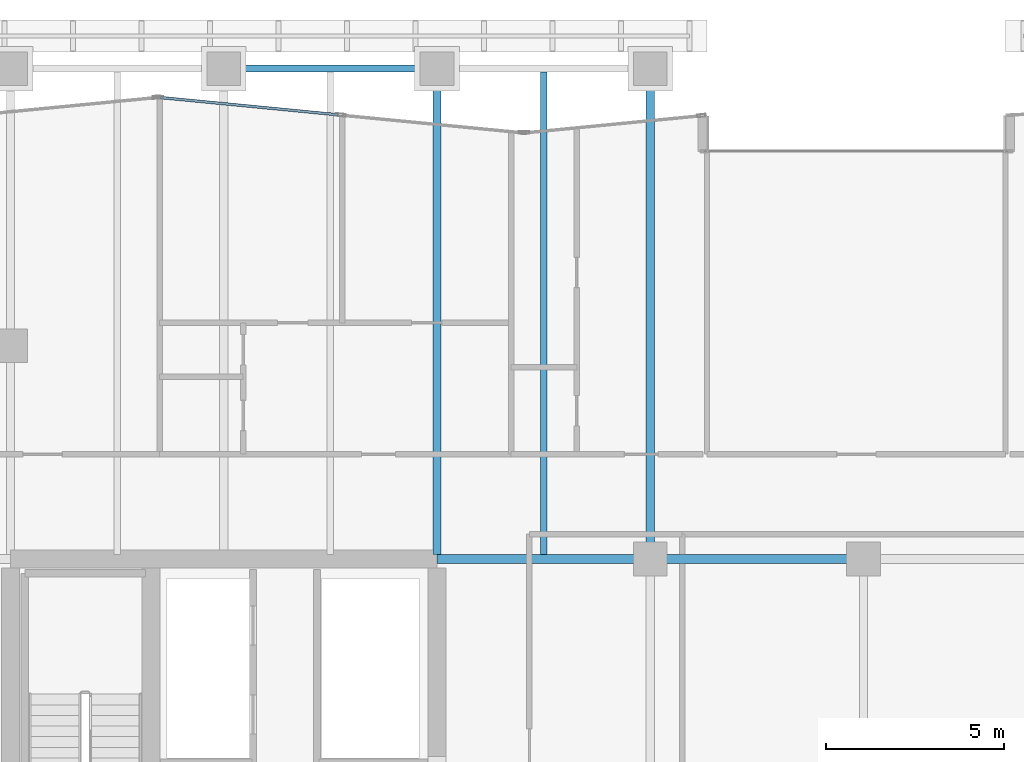
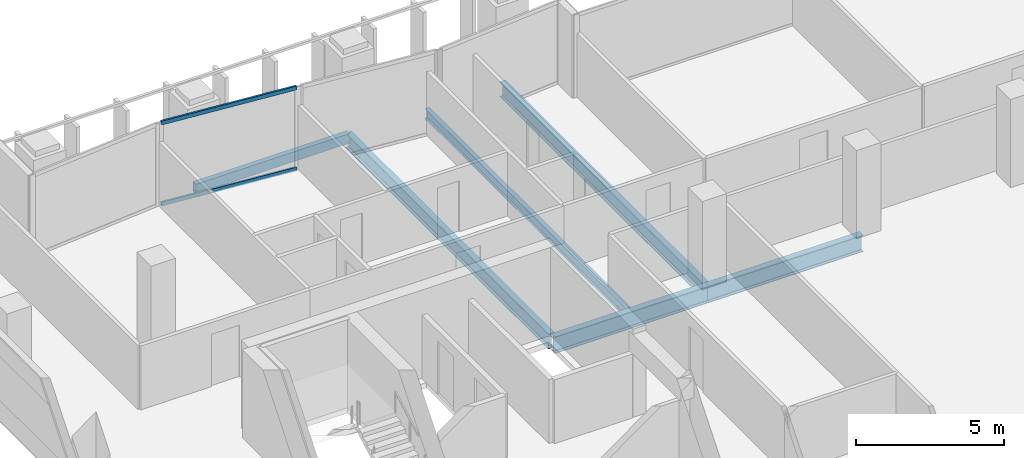
# One storey, part 13 of 39: 6 beams, 2 members, 1 element without a shape of its own.
"""IFC4 building model written with IfcOpenShell, lengths in metres."""

from ifc_helpers import new_model, si_unit, direction, frame, origin, origin_2d, place, context, subcontext, project, spatial, hollow_rectangle, i_section, extrude, material, layer, layer_set, material_profile, profile_set, type_object, element, aggregate, save


model = new_model("IFC4")

# Units and contexts
model_context = context("Model", 3, precision=1e-05, world=origin(), true_north=direction((0.0, 1.0)))
body_context = subcontext(model_context, "Body", "Model", "MODEL_VIEW")
ifc_project = project(units=[si_unit("LENGTHUNIT", "METRE"), si_unit("AREAUNIT", "SQUARE_METRE"), si_unit("VOLUMEUNIT", "CUBIC_METRE"), si_unit("PLANEANGLEUNIT", "RADIAN"), si_unit("MASSUNIT", "GRAM", prefix="KILO")], contexts=[model_context])

# Site, building, storey
site_placement = place(None, origin())
site = spatial("IfcSite", under=ifc_project, at=site_placement, CompositionType="ELEMENT")
building_placement = place(site_placement, origin())
building = spatial("IfcBuilding", under=site, at=building_placement, Name="Tanjung Sevakor Pilgrim Tower", CompositionType="ELEMENT")
storey_placement = place(building_placement, frame((0.0, 0.0, 112.199951171875)))
storey = spatial("IfcBuildingStorey", under=building, at=storey_placement, Name="L31", CompositionType="ELEMENT", Elevation=112.199951171875)

# Beams
ifc_material_1 = material(Name="Steel S355J2", Category="steel")
ifc_material_profile_1 = material_profile(ifc_material_1, i_section(OverallWidth=0.25439453125, OverallDepth=0.6875, WebThickness=0.01318359375, FlangeThickness=0.02099609375, FilletRadius=0.01513671875, at=origin_2d()))
ifc_profile_set_1 = profile_set([ifc_material_profile_1], Name="Steel S355J2")
beam_type_1 = type_object("IfcBeamType", Name="BM-B-G2-UB_686x254x152", PredefinedType="BEAM", material=ifc_profile_set_1)
for number, where, z_axis, x_axis, name in (
    (1, (36.0, 42.60009765625, -0.563720703125), (1.0, 0.0, 0.0), (0.0, 1.0, 0.0), "L31 Primary Floor Girder MAIN Y426-02"),
    (2, (42.0, 42.60009765625, -0.563720703125), (1.0, 0.0, 0.0), (0.0, 1.0, 0.0), "L31 Primary Floor Girder MAIN Y426-03"),
):
    element("IfcBeam", number, at=place(storey_placement, frame(where, z_axis=z_axis, x_axis=x_axis)), inside=storey, type_object=beam_type_1, Name=name, PredefinedType="BEAM", context=body_context, shape_type="SweptSolid", body=[
        extrude(i_section(OverallWidth=0.25439453125, OverallDepth=0.6875, WebThickness=0.01318359375, FlangeThickness=0.02099609375, FilletRadius=0.01513671875, at=origin_2d()), origin(), (0.0, 0.0, 1.0), 6.0),
    ])
ifc_material_2 = material(Name="Steel S355J2", Category="steel")
ifc_material_profile_2 = material_profile(ifc_material_2, i_section(OverallWidth=0.230224609375, OverallDepth=0.6171875, WebThickness=0.01318359375, FlangeThickness=0.022216796875, FilletRadius=0.0126953125, at=origin_2d()))
ifc_profile_set_2 = profile_set([ifc_material_profile_2], Name="Steel S355J2")
beam_type_2 = type_object("IfcBeamType", Name="BM-B-G3-UB_610x229x140", PredefinedType="BEAM", material=ifc_profile_set_2)
beam_1_placement = place(storey_placement, frame((36.0, 42.727294921875, -0.528564453125), z_axis=(0.0, 1.0, 0.0), x_axis=(-1.0, 0.0, 0.0)))
element("IfcBeam", 3, at=beam_1_placement, inside=storey, type_object=beam_type_2, Name="L31 MAIN Girder 010", PredefinedType="BEAM", context=body_context, shape_type="SweptSolid", body=[
    extrude(i_section(OverallWidth=0.230224609375, OverallDepth=0.6171875, WebThickness=0.01318359375, FlangeThickness=0.022216796875, FilletRadius=0.0126953125, at=origin_2d()), origin(), (0.0, 0.0, 1.0), 13.672607421875),
])
beam_2_placement = place(storey_placement, frame((42.0, 42.60009765625, -0.528564453125), z_axis=(0.0, 1.0, 0.0), x_axis=(-1.0, 0.0, 0.0)))
element("IfcBeam", 4, at=beam_2_placement, inside=storey, type_object=beam_type_2, Name="L31 MAIN Girder 015", PredefinedType="BEAM", context=body_context, shape_type="SweptSolid", body=[
    extrude(i_section(OverallWidth=0.230224609375, OverallDepth=0.6171875, WebThickness=0.01318359375, FlangeThickness=0.022216796875, FilletRadius=0.0126953125, at=origin_2d()), origin(), (0.0, 0.0, 1.0), 13.7998046875),
])
ifc_material_3 = material(Name="Steel S355J2", Category="steel")
ifc_material_profile_3 = material_profile(ifc_material_3, i_section(OverallWidth=0.1787109375, OverallDepth=0.409423828125, WebThickness=0.0087890625, FlangeThickness=0.014404296875, FilletRadius=0.01025390625, at=origin_2d()))
ifc_profile_set_3 = profile_set([ifc_material_profile_3], Name="Steel S355J2")
beam_type_3 = type_object("IfcBeamType", Name="BM-B-J3-UB_406x178x67", PredefinedType="JOIST", material=ifc_profile_set_3)
beam_3_placement = place(storey_placement, frame((39.0, 42.727294921875, -0.424560546875), z_axis=(0.0, 1.0, 0.0), x_axis=(-1.0, 0.0, 0.0)))
element("IfcBeam", 5, at=beam_3_placement, inside=storey, type_object=beam_type_3, Name="L31 MAIN Joist 012", PredefinedType="JOIST", context=body_context, shape_type="SweptSolid", body=[
    extrude(i_section(OverallWidth=0.1787109375, OverallDepth=0.409423828125, WebThickness=0.0087890625, FlangeThickness=0.014404296875, FilletRadius=0.01025390625, at=origin_2d()), origin(), (0.0, 0.0, 1.0), 13.57275390625),
])
ifc_material_4 = material(Name="Steel S355J2", Category="steel")
ifc_material_profile_4 = material_profile(ifc_material_4, hollow_rectangle(XDim=0.199951171875, YDim=0.39990234375, WallThickness=0.01611328125, at=origin_2d()))
ifc_profile_set_4 = profile_set([ifc_material_profile_4], Name="Steel S355J2")
beam_type_4 = type_object("IfcBeamType", Name="BM-B-SP2-RHS_400x200x16", PredefinedType="SPANDREL", material=ifc_profile_set_4)
beam_4_placement = place(storey_placement, frame((30.0, 56.39990234375, -0.419921875), z_axis=(1.0, 0.0, 0.0), x_axis=(0.0, 1.0, 0.0)))
element("IfcBeam", 6, at=beam_4_placement, inside=storey, type_object=beam_type_4, Name="L31 Spandrel MAIN N-04", PredefinedType="SPANDREL", context=body_context, shape_type="SweptSolid", body=[
    extrude(hollow_rectangle(XDim=0.199951171875, YDim=0.39990234375, WallThickness=0.01611328125, at=origin_2d()), origin(), (0.0, 0.0, 1.0), 6.0),
])

# Curtain wall, members
ifc_material_5 = material(Name="Aluminium 6063-T6 and Low-E Glass", Category="aluminium")
ifc_layer = layer(ifc_material_5, 0.199951171875)
ifc_layer_set = layer_set([ifc_layer], Name="CW-SYS-PRAY")
curtain_wall_type = type_object("IfcCurtainWallType", Name="CW-SYS-PRAY", PredefinedType="NOTDEFINED", material=ifc_layer_set)
curtain_wall_placement = place(storey_placement, origin())
curtain_wall = element("IfcCurtainWall", 7, at=curtain_wall_placement, inside=storey, type_object=curtain_wall_type, Name="L31 Curtain Wall CW-PRY-L31-29", PredefinedType="NOTDEFINED")
ifc_material_6 = material(Name="Aluminium 6063-T6", Category="aluminium")
ifc_material_profile_5 = material_profile(ifc_material_6, hollow_rectangle(XDim=0.074951171875, YDim=0.159912109375, WallThickness=0.00439453125, at=origin_2d()))
ifc_profile_set_5 = profile_set([ifc_material_profile_5], Name="Aluminium 6063-T6")
member_type = type_object("IfcMemberType", Name="TYPE-CWT-2", PredefinedType="USERDEFINED", material=ifc_profile_set_5)
member_1_placement = place(storey_placement, frame((33.213134765625, 55.102783203125, 0.03759765625), z_axis=(-0.995319078392, 0.096643324599, 0.0), x_axis=(-0.096643324599, -0.995319078392, 0.0)))
member_1 = element("IfcMember", 8, at=member_1_placement, type_object=member_type, Name="CW-PRY transom 1.1", ObjectType="TRANSOM", PredefinedType="USERDEFINED", context=body_context, shape_type="SweptSolid", body=[
    extrude(hollow_rectangle(XDim=0.074951171875, YDim=0.159912109375, WallThickness=0.00439453125, at=origin_2d()), origin(), (0.0, 0.0, 1.0), 5.011962890625),
])
member_2_placement = place(storey_placement, frame((33.213134765625, 55.102783203125, 3.37255859375), z_axis=(-0.995319078392, 0.096643324599, 0.0), x_axis=(-0.096643324599, -0.995319078392, 0.0)))
member_2 = element("IfcMember", 9, at=member_2_placement, type_object=member_type, Name="CW-PRY transom 1.2", ObjectType="TRANSOM", PredefinedType="USERDEFINED", context=body_context, shape_type="SweptSolid", body=[
    extrude(hollow_rectangle(XDim=0.074951171875, YDim=0.159912109375, WallThickness=0.00439453125, at=origin_2d()), origin(), (0.0, 0.0, 1.0), 5.011962890625),
])
aggregate(curtain_wall, [member_1, member_2])

save(model, "model.ifc")
